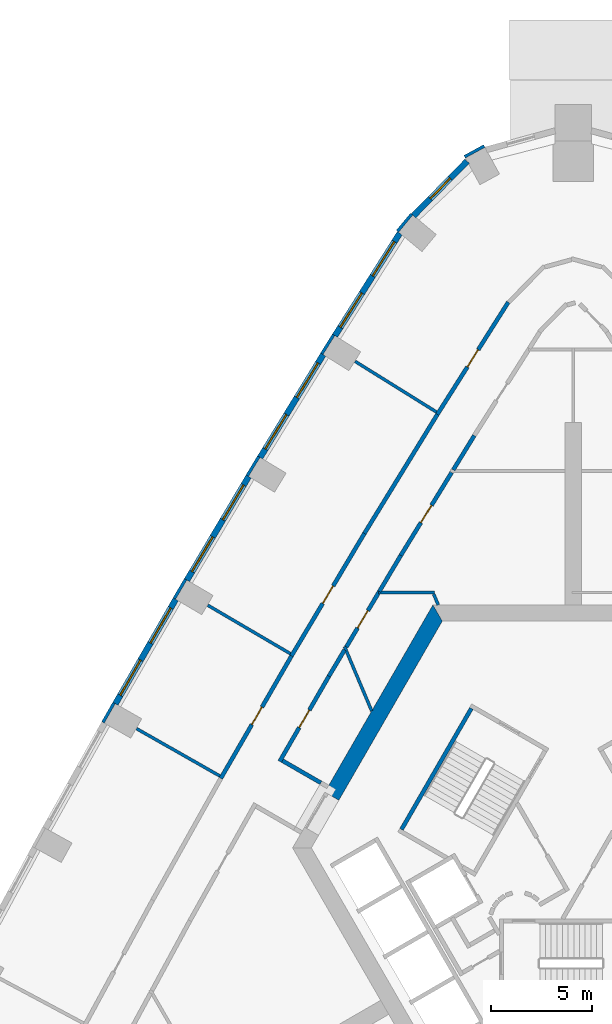
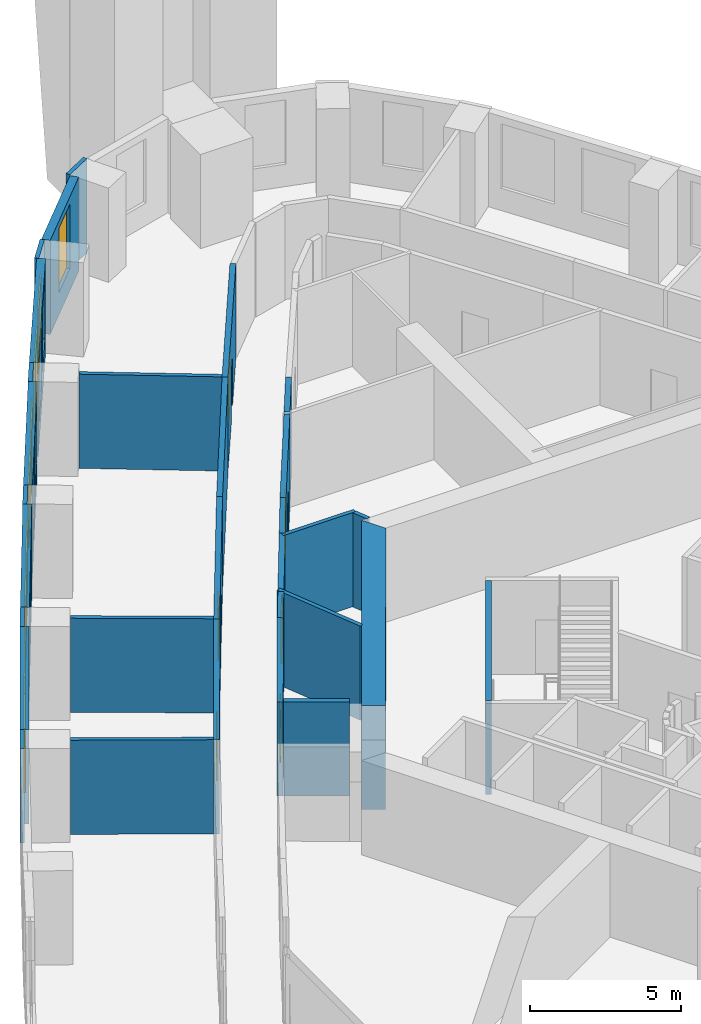
# One storey, part 8 of 15: 30 walls, 9 windows, 6 doors, 15 openings.
"""IFC4 building model written with IfcOpenShell, lengths in metres."""

from ifc_helpers import new_model, si_unit, direction, frame, frame_2d, origin, place, context, subcontext, project, spatial, polyline, rectangle, outline, extrude, material, layer, layer_set, type_object, element, fill, save


model = new_model("IFC4")

# Units and contexts
model_context = context("Model", 3, precision=1e-05, world=origin(), true_north=direction((0.0, 1.0)))
body_context = subcontext(model_context, "Body", "Model", "MODEL_VIEW")
ifc_project = project(units=[si_unit("LENGTHUNIT", "METRE"), si_unit("AREAUNIT", "SQUARE_METRE"), si_unit("VOLUMEUNIT", "CUBIC_METRE"), si_unit("PLANEANGLEUNIT", "RADIAN"), si_unit("MASSUNIT", "GRAM", prefix="KILO")], contexts=[model_context])

# Site, building, storey
site_placement = place(None, origin())
site = spatial("IfcSite", under=ifc_project, at=site_placement, CompositionType="ELEMENT")
building_placement = place(site_placement, origin())
building = spatial("IfcBuilding", under=site, at=building_placement, Name="Entoto Arch Interchange Tower", CompositionType="ELEMENT")
storey_placement = place(building_placement, frame((0.0, 0.0, 150.800048828125)))
storey = spatial("IfcBuildingStorey", under=building, at=storey_placement, Name="L33", CompositionType="ELEMENT", Elevation=150.800048828125)

# Walls
ifc_material_1 = material(Name="Concrete C50/60", Category="concrete")
ifc_layer_1 = layer(ifc_material_1, 0.800048828125)
ifc_layer_set_1 = layer_set([ifc_layer_1], Name="Concrete C50/60")
wall_type_1 = type_object("IfcWallType", Name="Core wall 800 C50/60", PredefinedType="SHEAR", material=ifc_layer_set_1)
wall_1_placement = place(storey_placement, frame((0.0, 0.0, -0.400146484375)))
element("IfcWall", 1, at=wall_1_placement, inside=storey, type_object=wall_type_1, Name="Core wall NW L33", PredefinedType="SHEAR", context=body_context, shape_type="SweptSolid", body=[
    extrude(outline(polyline([(-12.26708984375, 5.251953125), (-11.574951171875, 4.85205078125), (-6.466064453125, 13.699951171875), (-6.927978515625, 14.5), (-12.26708984375, 5.251953125)])), origin(), (0.0, 0.0, 1.0), 4.2001953125),
])
ifc_material_2 = material(Name="Gypsum board partition on steel studs", Category="steel")
ifc_layer_2 = layer(ifc_material_2, 0.14990234375)
ifc_layer_set_2 = layer_set([ifc_layer_2], Name="Gypsum board partition on steel studs")
wall_type_2 = type_object("IfcWallType", Name="PARTITION 150", PredefinedType="PARTITIONING", material=ifc_layer_set_2)
wall_2_placement = place(storey_placement, frame((-9.951904296875, 9.261962890625, 0.0), z_axis=(0.0, 0.0, 1.0), x_axis=(-0.38905491579, 0.921214563769, 0.0)))
element("IfcWall", 2, at=wall_2_placement, inside=storey, type_object=wall_type_2, Name="wall:L33:p085", PredefinedType="PARTITIONING", context=body_context, shape_type="SweptSolid", body=[
    extrude(rectangle(XDim=3.444580078125, YDim=0.14990234375, at=frame_2d((1.72216796875, 0.0))), origin(), (0.0, 0.0, 1.0), 3.800048828125),
])
wall_3_placement = place(storey_placement, frame((-6.845947265625, 15.10009765625, 0.0), z_axis=(0.0, 0.0, 1.0), x_axis=(-1.0, 0.0, 0.0)))
element("IfcWall", 3, at=wall_3_placement, inside=storey, type_object=wall_type_2, Name="wall:L33:p086", PredefinedType="PARTITIONING", context=body_context, shape_type="SweptSolid", body=[
    extrude(rectangle(XDim=2.76611328125, YDim=0.14990234375, at=frame_2d((1.383056640625, 0.0))), origin(), (0.0, 0.0, 1.0), 3.800048828125),
])
wall_4_placement = place(storey_placement, frame((-6.66796875, 14.5, 0.0), z_axis=(0.0, 0.0, 1.0), x_axis=(-0.388852201086, 0.921300149631, 0.0)))
element("IfcWall", 4, at=wall_4_placement, inside=storey, type_object=wall_type_2, Name="wall:L33:p087", PredefinedType="PARTITIONING", context=body_context, shape_type="SweptSolid", body=[
    extrude(rectangle(XDim=0.576416015625, YDim=0.14990234375, at=frame_2d((0.2880859375, 0.0))), origin(), (0.0, 0.0, 1.0), 3.800048828125),
])
wall_5_placement = place(storey_placement, frame((-6.7548828125, 24.02294921875, 0.0), z_axis=(0.0, 0.0, 1.0), x_axis=(-0.848896034983, 0.528559856392, 0.0)))
element("IfcWall", 5, at=wall_5_placement, inside=storey, type_object=wall_type_2, Name="wall:L33:p132", PredefinedType="PARTITIONING", context=body_context, shape_type="SweptSolid", body=[
    extrude(rectangle(XDim=4.729736328125, YDim=0.14990234375, at=frame_2d((2.36474609375, 0.0))), origin(), (0.0, 0.0, 1.0), 3.800048828125),
])
wall_6_placement = place(storey_placement, frame((-13.965087890625, 12.087890625, 0.0), z_axis=(0.0, 0.0, 1.0), x_axis=(-0.862617990649, 0.50585591052, 0.0)))
element("IfcWall", 6, at=wall_6_placement, inside=storey, type_object=wall_type_2, Name="wall:L33:p133", PredefinedType="PARTITIONING", context=body_context, shape_type="SweptSolid", body=[
    extrude(rectangle(XDim=4.730712890625, YDim=0.14990234375, at=frame_2d((2.365234375, 0.0))), origin(), (0.0, 0.0, 1.0), 3.800048828125),
])
wall_7_placement = place(storey_placement, frame((-17.450927734375, 6.051025390625, 0.0), z_axis=(0.0, 0.0, 1.0), x_axis=(-0.869409691741, 0.494091882049, 0.0)))
element("IfcWall", 7, at=wall_7_placement, inside=storey, type_object=wall_type_2, Name="wall:L33:p134", PredefinedType="PARTITIONING", context=body_context, shape_type="SweptSolid", body=[
    extrude(rectangle(XDim=4.729736328125, YDim=0.14990234375, at=frame_2d((2.36474609375, 0.0))), origin(), (0.0, 0.0, 1.0), 3.800048828125),
])

# Wall, opening, door
ifc_layer_3 = layer(ifc_material_2, 0.199951171875)
ifc_layer_set_3 = layer_set([ifc_layer_3], Name="Gypsum board partition on steel studs")
wall_type_3 = type_object("IfcWallType", Name="PARTITION 200", PredefinedType="PARTITIONING", material=ifc_layer_set_3)
wall_8_placement = place(storey_placement, frame((-9.573974609375, 15.1640625, 0.0), z_axis=(0.0, 0.0, 1.0), x_axis=(-0.511482522046, -0.859293680671, 0.0)))
wall_8 = element("IfcWall", 8, at=wall_8_placement, inside=storey, type_object=wall_type_3, Name="wall:L33:p001", PredefinedType="PARTITIONING", context=body_context, shape_type="SweptSolid", body=[
    extrude(rectangle(XDim=3.20849609375, YDim=0.199951171875, at=frame_2d((1.604248046875, 0.0))), origin(), (0.0, 0.0, 1.0), 3.800048828125),
])
opening_1_placement = place(wall_8_placement, frame((1.10400390625, 0.0, 0.0)))
opening_1 = element("IfcOpeningElement", 9, at=opening_1_placement, cuts=wall_8, Name="Opening L33-D28", PredefinedType="OPENING", context=body_context, shape_type="SweptSolid", body=[
    extrude(rectangle(XDim=1.0, YDim=2.10009765625, at=frame_2d((0.5, 1.050048828125))), frame((0.0, 0.10986328125, 0.0), z_axis=(0.0, -1.0, 0.0), x_axis=(1.0, 0.0, 0.0)), (0.0, 0.0, 1.0), 0.219970703125),
])
ifc_material_3 = material(Name="Timber door leaf in Steel S235 frame", Category="steel")
door_type = type_object("IfcDoorType", Name="DOOR DS-10 1000x2100", OperationType="SINGLE_SWING_LEFT", PredefinedType="DOOR", material=ifc_material_3)
door_1_placement = place(opening_1_placement, origin())
door_1 = element("IfcDoor", 10, at=door_1_placement, inside=storey, type_object=door_type, Name="door:L33:28", OperationType="SINGLE_SWING_RIGHT", OverallHeight=2.10009765625, OverallWidth=1.0, PredefinedType="DOOR", context=body_context, shape_type="SweptSolid", body=[
    extrude(rectangle(XDim=1.0, YDim=2.10009765625, at=frame_2d((0.5, 1.050048828125))), frame((0.0, 0.02490234375, 0.0), z_axis=(0.0, -1.0, 0.0), x_axis=(1.0, 0.0, 0.0)), (0.0, 0.0, 1.0), 0.050048828125),
])
fill(opening_1, door_1)

# Wall
wall_9_placement = place(storey_placement, frame((-11.291015625, 12.278076171875, 0.0), z_axis=(0.0, 0.0, 1.0), x_axis=(-0.511628198266, -0.859206952217, 0.0)))
element("IfcWall", 11, at=wall_9_placement, inside=storey, type_object=wall_type_3, Name="wall:L33:p002", PredefinedType="PARTITIONING", context=body_context, shape_type="SweptSolid", body=[
    extrude(rectangle(XDim=1.5166015625, YDim=0.199951171875, at=frame_2d((0.75830078125, 0.0))), origin(), (0.0, 0.0, 1.0), 3.800048828125),
])

# Wall, opening, door
wall_10_placement = place(storey_placement, frame((-12.06689453125, 10.97509765625, 0.0), z_axis=(0.0, 0.0, 1.0), x_axis=(-0.500215616273, -0.865900881878, 0.0)))
wall_10 = element("IfcWall", 12, at=wall_10_placement, inside=storey, type_object=wall_type_3, Name="wall:L33:p003", PredefinedType="PARTITIONING", context=body_context, shape_type="SweptSolid", body=[
    extrude(rectangle(XDim=4.856201171875, YDim=0.199951171875, at=frame_2d((2.42822265625, 0.0))), origin(), (0.0, 0.0, 1.0), 3.800048828125),
])
opening_2_placement = place(wall_10_placement, frame((1.927978515625, 0.0, 0.0)))
opening_2 = element("IfcOpeningElement", 13, at=opening_2_placement, cuts=wall_10, Name="Opening L33-D29", PredefinedType="OPENING", context=body_context, shape_type="SweptSolid", body=[
    extrude(rectangle(XDim=1.0, YDim=2.10009765625, at=frame_2d((0.5, 1.050048828125))), frame((0.0, 0.10986328125, 0.0), z_axis=(0.0, -1.0, 0.0), x_axis=(1.0, 0.0, 0.0)), (0.0, 0.0, 1.0), 0.219970703125),
])
door_2_placement = place(opening_2_placement, origin())
door_2 = element("IfcDoor", 14, at=door_2_placement, inside=storey, type_object=door_type, Name="door:L33:29", OperationType="SINGLE_SWING_LEFT", OverallHeight=2.10009765625, OverallWidth=1.0, PredefinedType="DOOR", context=body_context, shape_type="SweptSolid", body=[
    extrude(rectangle(XDim=1.0, YDim=2.10009765625, at=frame_2d((0.5, 1.050048828125))), frame((0.0, 0.02490234375, 0.0), z_axis=(0.0, -1.0, 0.0), x_axis=(1.0, 0.0, 0.0)), (0.0, 0.0, 1.0), 0.050048828125),
])
fill(opening_2, door_2)

# Wall
wall_11_placement = place(storey_placement, frame((-14.35888671875, 6.805908203125, 0.0), z_axis=(0.0, 0.0, 1.0), x_axis=(0.866155875717, -0.499773947861, 0.0)))
element("IfcWall", 15, at=wall_11_placement, inside=storey, type_object=wall_type_3, Name="wall:L33:p004", PredefinedType="PARTITIONING", context=body_context, shape_type="SweptSolid", body=[
    extrude(rectangle(XDim=2.18896484375, YDim=0.199951171875, at=frame_2d((1.094482421875, 0.0))), origin(), (0.0, 0.0, 1.0), 3.800048828125),
])

# Wall, opening, door
wall_12_placement = place(storey_placement, frame((-6.0048828125, 21.035888671875, 0.0), z_axis=(0.0, 0.0, 1.0), x_axis=(-0.522865983217, -0.852414901086, 0.0)))
wall_12 = element("IfcWall", 16, at=wall_12_placement, inside=storey, type_object=wall_type_3, Name="wall:L33:p009", PredefinedType="PARTITIONING", context=body_context, shape_type="SweptSolid", body=[
    extrude(rectangle(XDim=4.802734375, YDim=0.199951171875, at=frame_2d((2.4013671875, 0.0))), origin(), (0.0, 0.0, 1.0), 3.800048828125),
])
opening_3_placement = place(wall_12_placement, frame((1.90087890625, 0.0, 0.0)))
opening_3 = element("IfcOpeningElement", 17, at=opening_3_placement, cuts=wall_12, Name="Opening L33-D20", PredefinedType="OPENING", context=body_context, shape_type="SweptSolid", body=[
    extrude(rectangle(XDim=1.0, YDim=2.10009765625, at=frame_2d((0.5, 1.050048828125))), frame((0.0, 0.10986328125, 0.0), z_axis=(0.0, -1.0, 0.0), x_axis=(1.0, 0.0, 0.0)), (0.0, 0.0, 1.0), 0.219970703125),
])
door_3_placement = place(opening_3_placement, origin())
door_3 = element("IfcDoor", 18, at=door_3_placement, inside=storey, type_object=door_type, Name="door:L33:20", OperationType="SINGLE_SWING_LEFT", OverallHeight=2.10009765625, OverallWidth=1.0, PredefinedType="DOOR", context=body_context, shape_type="SweptSolid", body=[
    extrude(rectangle(XDim=1.0, YDim=2.10009765625, at=frame_2d((0.5, 1.050048828125))), frame((0.0, 0.02490234375, 0.0), z_axis=(0.0, -1.0, 0.0), x_axis=(1.0, 0.0, 0.0)), (0.0, 0.0, 1.0), 0.050048828125),
])
fill(opening_3, door_3)

# Walls
wall_13_placement = place(storey_placement, frame((-8.51611328125, 16.94189453125, 0.0), z_axis=(0.0, 0.0, 1.0), x_axis=(-0.511351070319, -0.859371911854, 0.0)))
element("IfcWall", 19, at=wall_13_placement, inside=storey, type_object=wall_type_3, Name="wall:L33:p010", PredefinedType="PARTITIONING", context=body_context, shape_type="SweptSolid", body=[
    extrude(rectangle(XDim=2.06884765625, YDim=0.199951171875, at=frame_2d((1.034423828125, 0.0))), origin(), (0.0, 0.0, 1.0), 3.800048828125),
])
wall_14_placement = place(storey_placement, frame((-4.886962890625, 22.860107421875, 0.0), z_axis=(0.0, 0.0, 1.0), x_axis=(-0.522754838565, -0.852483066552, 0.0)))
element("IfcWall", 20, at=wall_14_placement, inside=storey, type_object=wall_type_3, Name="wall:L33:p014", PredefinedType="PARTITIONING", context=body_context, shape_type="SweptSolid", body=[
    extrude(rectangle(XDim=1.989501953125, YDim=0.199951171875, at=frame_2d((0.99462890625, 0.0))), origin(), (0.0, 0.0, 1.0), 3.800048828125),
])

# Wall, opening, door
wall_15_placement = place(storey_placement, frame((-6.7099609375, 23.906005859375, 0.0), z_axis=(0.0, 0.0, 1.0), x_axis=(0.534211624298, 0.845350779538, 0.0)))
wall_15 = element("IfcWall", 21, at=wall_15_placement, inside=storey, type_object=wall_type_3, Name="wall:L33:p056", PredefinedType="PARTITIONING", context=body_context, shape_type="SweptSolid", body=[
    extrude(rectangle(XDim=6.553466796875, YDim=0.199951171875, at=frame_2d((3.27685546875, 0.0))), origin(), (0.0, 0.0, 1.0), 3.800048828125),
])
opening_4_placement = place(wall_15_placement, frame((2.777099609375, 0.0, 0.0)))
opening_4 = element("IfcOpeningElement", 22, at=opening_4_placement, cuts=wall_15, Name="Opening L33-D10", PredefinedType="OPENING", context=body_context, shape_type="SweptSolid", body=[
    extrude(rectangle(XDim=1.0, YDim=2.10009765625, at=frame_2d((0.5, 1.050048828125))), frame((0.0, 0.10986328125, 0.0), z_axis=(0.0, -1.0, 0.0), x_axis=(1.0, 0.0, 0.0)), (0.0, 0.0, 1.0), 0.219970703125),
])
door_4_placement = place(opening_4_placement, origin())
door_4 = element("IfcDoor", 23, at=door_4_placement, inside=storey, type_object=door_type, Name="door:L33:10", OperationType="SINGLE_SWING_LEFT", OverallHeight=2.10009765625, OverallWidth=1.0, PredefinedType="DOOR", context=body_context, shape_type="SweptSolid", body=[
    extrude(rectangle(XDim=1.0, YDim=2.10009765625, at=frame_2d((0.5, 1.050048828125))), frame((0.0, 0.02490234375, 0.0), z_axis=(0.0, -1.0, 0.0), x_axis=(1.0, 0.0, 0.0)), (0.0, 0.0, 1.0), 0.050048828125),
])
fill(opening_4, door_4)

wall_16_placement = place(storey_placement, frame((-13.9169921875, 11.972900390625, 0.0), z_axis=(0.0, 0.0, 1.0), x_axis=(0.511455840413, 0.859309561978, 0.0)))
wall_16 = element("IfcWall", 24, at=wall_16_placement, inside=storey, type_object=wall_type_3, Name="wall:L33:p061", PredefinedType="PARTITIONING", context=body_context, shape_type="SweptSolid", body=[
    extrude(rectangle(XDim=7.046630859375, YDim=0.199951171875, at=frame_2d((3.5234375, 0.0))), origin(), (0.0, 0.0, 1.0), 3.800048828125),
])
opening_5_placement = place(wall_16_placement, frame((3.02294921875, 0.0, 0.0)))
opening_5 = element("IfcOpeningElement", 25, at=opening_5_placement, cuts=wall_16, Name="Opening L33-D11", PredefinedType="OPENING", context=body_context, shape_type="SweptSolid", body=[
    extrude(rectangle(XDim=1.0, YDim=2.10009765625, at=frame_2d((0.5, 1.050048828125))), frame((0.0, 0.10986328125, 0.0), z_axis=(0.0, -1.0, 0.0), x_axis=(1.0, 0.0, 0.0)), (0.0, 0.0, 1.0), 0.219970703125),
])
door_5_placement = place(opening_5_placement, origin())
door_5 = element("IfcDoor", 26, at=door_5_placement, inside=storey, type_object=door_type, Name="door:L33:11", OperationType="SINGLE_SWING_LEFT", OverallHeight=2.10009765625, OverallWidth=1.0, PredefinedType="DOOR", context=body_context, shape_type="SweptSolid", body=[
    extrude(rectangle(XDim=1.0, YDim=2.10009765625, at=frame_2d((0.5, 1.050048828125))), frame((0.0, 0.02490234375, 0.0), z_axis=(0.0, -1.0, 0.0), x_axis=(1.0, 0.0, 0.0)), (0.0, 0.0, 1.0), 0.050048828125),
])
fill(opening_5, door_5)

# Wall
wall_17_placement = place(storey_placement, frame((-10.31298828125, 18.028076171875, 0.0), z_axis=(0.0, 0.0, 1.0), x_axis=(0.522772968793, 0.85247194857, 0.0)))
element("IfcWall", 27, at=wall_17_placement, inside=storey, type_object=wall_type_3, Name="wall:L33:p062", PredefinedType="PARTITIONING", context=body_context, shape_type="SweptSolid", body=[
    extrude(rectangle(XDim=6.89404296875, YDim=0.199951171875, at=frame_2d((3.447021484375, 0.0))), origin(), (0.0, 0.0, 1.0), 3.800048828125),
])

# Wall, opening, door
wall_18_placement = place(storey_placement, frame((-17.402099609375, 5.93603515625, 0.0), z_axis=(0.0, 0.0, 1.0), x_axis=(0.500135788517, 0.865946992052, 0.0)))
wall_18 = element("IfcWall", 28, at=wall_18_placement, inside=storey, type_object=wall_type_3, Name="wall:L33:p063", PredefinedType="PARTITIONING", context=body_context, shape_type="SweptSolid", body=[
    extrude(rectangle(XDim=6.97021484375, YDim=0.199951171875, at=frame_2d((3.485107421875, 0.0))), origin(), (0.0, 0.0, 1.0), 3.800048828125),
])
opening_6_placement = place(wall_18_placement, frame((3.06005859375, 0.0, 0.0)))
opening_6 = element("IfcOpeningElement", 29, at=opening_6_placement, cuts=wall_18, Name="Opening L33-D12", PredefinedType="OPENING", context=body_context, shape_type="SweptSolid", body=[
    extrude(rectangle(XDim=1.0, YDim=2.10009765625, at=frame_2d((0.5, 1.050048828125))), frame((0.0, 0.10986328125, 0.0), z_axis=(0.0, -1.0, 0.0), x_axis=(1.0, 0.0, 0.0)), (0.0, 0.0, 1.0), 0.219970703125),
])
door_6_placement = place(opening_6_placement, origin())
door_6 = element("IfcDoor", 30, at=door_6_placement, inside=storey, type_object=door_type, Name="door:L33:12", OperationType="SINGLE_SWING_LEFT", OverallHeight=2.10009765625, OverallWidth=1.0, PredefinedType="DOOR", context=body_context, shape_type="SweptSolid", body=[
    extrude(rectangle(XDim=1.0, YDim=2.10009765625, at=frame_2d((0.5, 1.050048828125))), frame((0.0, 0.02490234375, 0.0), z_axis=(0.0, -1.0, 0.0), x_axis=(1.0, 0.0, 0.0)), (0.0, 0.0, 1.0), 0.050048828125),
])
fill(opening_6, door_6)

# Wall
ifc_material_4 = material(Name="Concrete C40/50", Category="concrete")
ifc_layer_4 = layer(ifc_material_4, 0.199951171875)
ifc_layer_set_4 = layer_set([ifc_layer_4], Name="Concrete C40/50")
wall_type_4 = type_object("IfcWallType", Name="STAIR ENCLOSURE WALL 200", PredefinedType="STANDARD", material=ifc_layer_set_4)
wall_19_placement = place(storey_placement, frame((-5.030029296875, 9.387939453125, 0.0), z_axis=(0.0, 0.0, 1.0), x_axis=(-0.499978703459, -0.866037698999, 0.0)))
element("IfcWall", 31, at=wall_19_placement, inside=storey, type_object=wall_type_4, Name="Stair wall ST-NW back", PredefinedType="STANDARD", context=body_context, shape_type="SweptSolid", body=[
    extrude(rectangle(XDim=6.900146484375, YDim=0.199951171875, at=frame_2d((3.4501953125, 0.0))), origin(), (0.0, 0.0, 1.0), 3.800048828125),
])

# Wall, opening, window
ifc_material_5 = material(Name="Welded tuff (ignimbrite) cladding, warm buff", Category="masonry")
ifc_layer_5 = layer(ifc_material_5, 0.300048828125)
ifc_layer_set_5 = layer_set([ifc_layer_5], Name="Welded tuff (ignimbrite) cladding, warm buff")
wall_type_5 = type_object("IfcWallType", Name="STONE INFILL WALL 300", PredefinedType="STANDARD", material=ifc_layer_set_5)
wall_20_placement = place(storey_placement, frame((-5.240966796875, 36.412109375, 0.0), z_axis=(0.0, 0.0, 1.0), x_axis=(-0.7003170466, -0.713831936973, 0.0)))
wall_20 = element("IfcWall", 32, at=wall_20_placement, inside=storey, type_object=wall_type_5, Name="Facade wall N-04 L33", PredefinedType="STANDARD", context=body_context, shape_type="SweptSolid", body=[
    extrude(rectangle(XDim=3.775390625, YDim=0.300048828125, at=frame_2d((1.8876953125, 0.0))), origin(), (0.0, 0.0, 1.0), 3.800048828125),
])
opening_7_placement = place(wall_20_placement, frame((1.18798828125, 0.0, 0.89990234375)))
opening_7 = element("IfcOpeningElement", 33, at=opening_7_placement, cuts=wall_20, Name="Opening WO-B", PredefinedType="OPENING", context=body_context, shape_type="SweptSolid", body=[
    extrude(rectangle(XDim=1.39990234375, YDim=2.60009765625, at=frame_2d((0.699951171875, 1.300048828125))), frame((0.0, 0.16015625, 0.0), z_axis=(0.0, -1.0, 0.0), x_axis=(1.0, 0.0, 0.0)), (0.0, 0.0, 1.0), 0.320068359375),
])
ifc_material_6 = material(Name="Clear glass, low-e double glazed", Category="glass")
window_type_1 = type_object("IfcWindowType", Name="WINDOW WO-B 1400x2600", PartitioningType="DOUBLE_PANEL_VERTICAL", PredefinedType="WINDOW", material=ifc_material_6)
window_1_placement = place(opening_7_placement, origin())
window_1 = element("IfcWindow", 34, at=window_1_placement, inside=storey, type_object=window_type_1, Name="Window WO-B N-04 L33", OverallHeight=2.60009765625, OverallWidth=1.39990234375, PartitioningType="SINGLE_PANEL", PredefinedType="WINDOW", context=body_context, shape_type="SweptSolid", body=[
    extrude(rectangle(XDim=1.39990234375, YDim=2.60009765625, at=frame_2d((0.699951171875, 1.300048828125))), frame((0.0, 0.030029296875, 0.0), z_axis=(0.0, -1.0, 0.0), x_axis=(1.0, 0.0, 0.0)), (0.0, 0.0, 1.0), 0.06005859375),
])
fill(opening_7, window_1)

# Wall, openings, windows
wall_21_placement = place(storey_placement, frame((-8.56591796875, 32.85498046875, 0.0), z_axis=(0.0, 0.0, 1.0), x_axis=(-0.534262775953, -0.845318452556, 0.0)))
wall_21 = element("IfcWall", 35, at=wall_21_placement, inside=storey, type_object=wall_type_5, Name="Facade wall NW-01 L33", PredefinedType="STANDARD", context=body_context, shape_type="SweptSolid", body=[
    extrude(rectangle(XDim=5.99169921875, YDim=0.300048828125, at=frame_2d((2.995849609375, 0.0))), origin(), (0.0, 0.0, 1.0), 3.800048828125),
])
opening_8_placement = place(wall_21_placement, frame((0.498046875, 0.0, 0.89990234375)))
opening_8 = element("IfcOpeningElement", 36, at=opening_8_placement, cuts=wall_21, Name="Opening WO-C", PredefinedType="OPENING", context=body_context, shape_type="SweptSolid", body=[
    extrude(rectangle(XDim=2.0, YDim=2.60009765625, at=frame_2d((1.0, 1.300048828125))), frame((0.0, 0.16015625, 0.0), z_axis=(0.0, -1.0, 0.0), x_axis=(1.0, 0.0, 0.0)), (0.0, 0.0, 1.0), 0.320068359375),
])
opening_9_placement = place(wall_21_placement, frame((3.493896484375, 0.0, 0.89990234375)))
opening_9 = element("IfcOpeningElement", 37, at=opening_9_placement, cuts=wall_21, Name="Opening WO-C", PredefinedType="OPENING", context=body_context, shape_type="SweptSolid", body=[
    extrude(rectangle(XDim=2.0, YDim=2.60009765625, at=frame_2d((1.0, 1.300048828125))), frame((0.0, 0.16015625, 0.0), z_axis=(0.0, -1.0, 0.0), x_axis=(1.0, 0.0, 0.0)), (0.0, 0.0, 1.0), 0.320068359375),
])
window_type_2 = type_object("IfcWindowType", Name="WINDOW WO-C 2000x2600", PartitioningType="DOUBLE_PANEL_VERTICAL", PredefinedType="WINDOW", material=ifc_material_6)
window_2_placement = place(opening_8_placement, origin())
window_2 = element("IfcWindow", 38, at=window_2_placement, inside=storey, type_object=window_type_2, Name="Window WO-C NW-01 L33", OverallHeight=2.60009765625, OverallWidth=2.0, PartitioningType="SINGLE_PANEL", PredefinedType="WINDOW", context=body_context, shape_type="SweptSolid", body=[
    extrude(rectangle(XDim=2.0, YDim=2.60009765625, at=frame_2d((1.0, 1.300048828125))), frame((0.0, 0.030029296875, 0.0), z_axis=(0.0, -1.0, 0.0), x_axis=(1.0, 0.0, 0.0)), (0.0, 0.0, 1.0), 0.06005859375),
])
fill(opening_8, window_2)
window_3_placement = place(opening_9_placement, origin())
window_3 = element("IfcWindow", 39, at=window_3_placement, inside=storey, type_object=window_type_2, Name="Window WO-C NW-01 L33", OverallHeight=2.60009765625, OverallWidth=2.0, PartitioningType="SINGLE_PANEL", PredefinedType="WINDOW", context=body_context, shape_type="SweptSolid", body=[
    extrude(rectangle(XDim=2.0, YDim=2.60009765625, at=frame_2d((1.0, 1.300048828125))), frame((0.0, 0.030029296875, 0.0), z_axis=(0.0, -1.0, 0.0), x_axis=(1.0, 0.0, 0.0)), (0.0, 0.0, 1.0), 0.06005859375),
])
fill(opening_9, window_3)

wall_22_placement = place(storey_placement, frame((-12.347900390625, 26.85791015625, 0.0), z_axis=(0.0, 0.0, 1.0), x_axis=(-0.522704272908, -0.852514072074, 0.0)))
wall_22 = element("IfcWall", 40, at=wall_22_placement, inside=storey, type_object=wall_type_5, Name="Facade wall NW-02 L33", PredefinedType="STANDARD", context=body_context, shape_type="SweptSolid", body=[
    extrude(rectangle(XDim=5.95751953125, YDim=0.300048828125, at=frame_2d((2.978759765625, 0.0))), origin(), (0.0, 0.0, 1.0), 3.800048828125),
])
opening_10_placement = place(wall_22_placement, frame((0.489013671875, 0.0, 0.89990234375)))
opening_10 = element("IfcOpeningElement", 41, at=opening_10_placement, cuts=wall_22, Name="Opening WO-C", PredefinedType="OPENING", context=body_context, shape_type="SweptSolid", body=[
    extrude(rectangle(XDim=2.0, YDim=2.60009765625, at=frame_2d((1.0, 1.300048828125))), frame((0.0, 0.16015625, 0.0), z_axis=(0.0, -1.0, 0.0), x_axis=(1.0, 0.0, 0.0)), (0.0, 0.0, 1.0), 0.320068359375),
])
opening_11_placement = place(wall_22_placement, frame((3.468017578125, 0.0, 0.89990234375)))
opening_11 = element("IfcOpeningElement", 42, at=opening_11_placement, cuts=wall_22, Name="Opening WO-C", PredefinedType="OPENING", context=body_context, shape_type="SweptSolid", body=[
    extrude(rectangle(XDim=2.0, YDim=2.60009765625, at=frame_2d((1.0, 1.300048828125))), frame((0.0, 0.16015625, 0.0), z_axis=(0.0, -1.0, 0.0), x_axis=(1.0, 0.0, 0.0)), (0.0, 0.0, 1.0), 0.320068359375),
])
window_4_placement = place(opening_10_placement, origin())
window_4 = element("IfcWindow", 43, at=window_4_placement, inside=storey, type_object=window_type_2, Name="Window WO-C NW-02 L33", OverallHeight=2.60009765625, OverallWidth=2.0, PartitioningType="SINGLE_PANEL", PredefinedType="WINDOW", context=body_context, shape_type="SweptSolid", body=[
    extrude(rectangle(XDim=2.0, YDim=2.60009765625, at=frame_2d((1.0, 1.300048828125))), frame((0.0, 0.030029296875, 0.0), z_axis=(0.0, -1.0, 0.0), x_axis=(1.0, 0.0, 0.0)), (0.0, 0.0, 1.0), 0.06005859375),
])
fill(opening_10, window_4)
window_5_placement = place(opening_11_placement, origin())
window_5 = element("IfcWindow", 44, at=window_5_placement, inside=storey, type_object=window_type_2, Name="Window WO-C NW-02 L33", OverallHeight=2.60009765625, OverallWidth=2.0, PartitioningType="SINGLE_PANEL", PredefinedType="WINDOW", context=body_context, shape_type="SweptSolid", body=[
    extrude(rectangle(XDim=2.0, YDim=2.60009765625, at=frame_2d((1.0, 1.300048828125))), frame((0.0, 0.030029296875, 0.0), z_axis=(0.0, -1.0, 0.0), x_axis=(1.0, 0.0, 0.0)), (0.0, 0.0, 1.0), 0.06005859375),
])
fill(opening_11, window_5)

wall_23_placement = place(storey_placement, frame((-16.029052734375, 20.840087890625, 0.0), z_axis=(0.0, 0.0, 1.0), x_axis=(-0.511455040009, -0.859310038374, 0.0)))
wall_23 = element("IfcWall", 45, at=wall_23_placement, inside=storey, type_object=wall_type_5, Name="Facade wall NW-03 L33", PredefinedType="STANDARD", context=body_context, shape_type="SweptSolid", body=[
    extrude(rectangle(XDim=5.957275390625, YDim=0.300048828125, at=frame_2d((2.978515625, 0.0))), origin(), (0.0, 0.0, 1.0), 3.800048828125),
])
opening_12_placement = place(wall_23_placement, frame((0.489013671875, 0.0, 0.89990234375)))
opening_12 = element("IfcOpeningElement", 46, at=opening_12_placement, cuts=wall_23, Name="Opening WO-C", PredefinedType="OPENING", context=body_context, shape_type="SweptSolid", body=[
    extrude(rectangle(XDim=2.0, YDim=2.60009765625, at=frame_2d((1.0, 1.300048828125))), frame((0.0, 0.16015625, 0.0), z_axis=(0.0, -1.0, 0.0), x_axis=(1.0, 0.0, 0.0)), (0.0, 0.0, 1.0), 0.320068359375),
])
opening_13_placement = place(wall_23_placement, frame((3.468017578125, 0.0, 0.89990234375)))
opening_13 = element("IfcOpeningElement", 47, at=opening_13_placement, cuts=wall_23, Name="Opening WO-C", PredefinedType="OPENING", context=body_context, shape_type="SweptSolid", body=[
    extrude(rectangle(XDim=2.0, YDim=2.60009765625, at=frame_2d((1.0, 1.300048828125))), frame((0.0, 0.16015625, 0.0), z_axis=(0.0, -1.0, 0.0), x_axis=(1.0, 0.0, 0.0)), (0.0, 0.0, 1.0), 0.320068359375),
])
window_6_placement = place(opening_12_placement, origin())
window_6 = element("IfcWindow", 48, at=window_6_placement, inside=storey, type_object=window_type_2, Name="Window WO-C NW-03 L33", OverallHeight=2.60009765625, OverallWidth=2.0, PartitioningType="SINGLE_PANEL", PredefinedType="WINDOW", context=body_context, shape_type="SweptSolid", body=[
    extrude(rectangle(XDim=2.0, YDim=2.60009765625, at=frame_2d((1.0, 1.300048828125))), frame((0.0, 0.030029296875, 0.0), z_axis=(0.0, -1.0, 0.0), x_axis=(1.0, 0.0, 0.0)), (0.0, 0.0, 1.0), 0.06005859375),
])
fill(opening_12, window_6)
window_7_placement = place(opening_13_placement, origin())
window_7 = element("IfcWindow", 49, at=window_7_placement, inside=storey, type_object=window_type_2, Name="Window WO-C NW-03 L33", OverallHeight=2.60009765625, OverallWidth=2.0, PartitioningType="SINGLE_PANEL", PredefinedType="WINDOW", context=body_context, shape_type="SweptSolid", body=[
    extrude(rectangle(XDim=2.0, YDim=2.60009765625, at=frame_2d((1.0, 1.300048828125))), frame((0.0, 0.030029296875, 0.0), z_axis=(0.0, -1.0, 0.0), x_axis=(1.0, 0.0, 0.0)), (0.0, 0.0, 1.0), 0.06005859375),
])
fill(opening_13, window_7)

wall_24_placement = place(storey_placement, frame((-19.631103515625, 14.77392578125, 0.0), z_axis=(0.0, 0.0, 1.0), x_axis=(-0.500061823953, -0.865989706766, 0.0)))
wall_24 = element("IfcWall", 50, at=wall_24_placement, inside=storey, type_object=wall_type_5, Name="Facade wall NW-04 L33", PredefinedType="STANDARD", context=body_context, shape_type="SweptSolid", body=[
    extrude(rectangle(XDim=5.957275390625, YDim=0.300048828125, at=frame_2d((2.978515625, 0.0))), origin(), (0.0, 0.0, 1.0), 3.800048828125),
])
opening_14_placement = place(wall_24_placement, frame((0.489013671875, 0.0, 0.89990234375)))
opening_14 = element("IfcOpeningElement", 51, at=opening_14_placement, cuts=wall_24, Name="Opening WO-C", PredefinedType="OPENING", context=body_context, shape_type="SweptSolid", body=[
    extrude(rectangle(XDim=2.0, YDim=2.60009765625, at=frame_2d((1.0, 1.300048828125))), frame((0.0, 0.16015625, 0.0), z_axis=(0.0, -1.0, 0.0), x_axis=(1.0, 0.0, 0.0)), (0.0, 0.0, 1.0), 0.320068359375),
])
opening_15_placement = place(wall_24_placement, frame((3.468017578125, 0.0, 0.89990234375)))
opening_15 = element("IfcOpeningElement", 52, at=opening_15_placement, cuts=wall_24, Name="Opening WO-C", PredefinedType="OPENING", context=body_context, shape_type="SweptSolid", body=[
    extrude(rectangle(XDim=2.0, YDim=2.60009765625, at=frame_2d((1.0, 1.300048828125))), frame((0.0, 0.16015625, 0.0), z_axis=(0.0, -1.0, 0.0), x_axis=(1.0, 0.0, 0.0)), (0.0, 0.0, 1.0), 0.320068359375),
])
window_8_placement = place(opening_14_placement, origin())
window_8 = element("IfcWindow", 53, at=window_8_placement, inside=storey, type_object=window_type_2, Name="Window WO-C NW-04 L33", OverallHeight=2.60009765625, OverallWidth=2.0, PartitioningType="SINGLE_PANEL", PredefinedType="WINDOW", context=body_context, shape_type="SweptSolid", body=[
    extrude(rectangle(XDim=2.0, YDim=2.60009765625, at=frame_2d((1.0, 1.300048828125))), frame((0.0, 0.030029296875, 0.0), z_axis=(0.0, -1.0, 0.0), x_axis=(1.0, 0.0, 0.0)), (0.0, 0.0, 1.0), 0.06005859375),
])
fill(opening_14, window_8)
window_9_placement = place(opening_15_placement, origin())
window_9 = element("IfcWindow", 54, at=window_9_placement, inside=storey, type_object=window_type_2, Name="Window WO-C NW-04 L33", OverallHeight=2.60009765625, OverallWidth=2.0, PartitioningType="SINGLE_PANEL", PredefinedType="WINDOW", context=body_context, shape_type="SweptSolid", body=[
    extrude(rectangle(XDim=2.0, YDim=2.60009765625, at=frame_2d((1.0, 1.300048828125))), frame((0.0, 0.030029296875, 0.0), z_axis=(0.0, -1.0, 0.0), x_axis=(1.0, 0.0, 0.0)), (0.0, 0.0, 1.0), 0.06005859375),
])
fill(opening_15, window_9)

# Walls
ifc_layer_6 = layer(ifc_material_5, 0.14990234375)
ifc_layer_set_6 = layer_set([ifc_layer_6], Name="Welded tuff (ignimbrite) cladding, warm buff")
wall_type_6 = type_object("IfcWallType", Name="STONE PIER CLADDING 150", PredefinedType="STANDARD", material=ifc_layer_set_6)
wall_25_placement = place(storey_placement, frame((-4.39501953125, 37.156982421875, 0.0), z_axis=(0.0, 0.0, 1.0), x_axis=(-0.877836219403, -0.478960929414, 0.0)))
element("IfcWall", 55, at=wall_25_placement, inside=storey, type_object=wall_type_6, Name="Stone pier N3 L33", PredefinedType="STANDARD", context=body_context, shape_type="SweptSolid", body=[
    extrude(rectangle(XDim=1.1005859375, YDim=0.14990234375, at=frame_2d((0.55029296875, 0.0))), origin(), (0.0, 0.0, 1.0), 3.800048828125),
])
wall_26_placement = place(storey_placement, frame((-7.97802734375, 33.794921875, 0.0), z_axis=(0.0, 0.0, 1.0), x_axis=(-0.639070205934, -0.769148406933, 0.0)))
element("IfcWall", 56, at=wall_26_placement, inside=storey, type_object=wall_type_6, Name="Stone pier NW01 L33", PredefinedType="STANDARD", context=body_context, shape_type="SweptSolid", body=[
    extrude(rectangle(XDim=1.099853515625, YDim=0.14990234375, at=frame_2d((0.5498046875, 0.0))), origin(), (0.0, 0.0, 1.0), 3.800048828125),
])
for number, where, z_axis, x_axis, name in (
    (57, (-11.8330078125, 27.83203125, 0.0), (0.0, 0.0, 1.0), (-0.529879262372, -0.848073090782, 0.0), "Stone pier NW02 L33"),
    (58, (-15.528076171875, 21.821044921875, 0.0), (0.0, 0.0, 1.0), (-0.517918067967, -0.85543022794, 0.0), "Stone pier NW03 L33"),
):
    element("IfcWall", number, at=place(storey_placement, frame(where, z_axis=z_axis, x_axis=x_axis)), inside=storey, type_object=wall_type_6, Name=name, PredefinedType="STANDARD", context=body_context, shape_type="SweptSolid", body=[
        extrude(rectangle(XDim=1.100341796875, YDim=0.14990234375, at=frame_2d((0.55029296875, 0.0))), origin(), (0.0, 0.0, 1.0), 3.800048828125),
    ])
wall_27_placement = place(storey_placement, frame((-19.14306640625, 15.760986328125, 0.0), z_axis=(0.0, 0.0, 1.0), x_axis=(-0.506505715302, -0.862236603472, 0.0)))
element("IfcWall", 59, at=wall_27_placement, inside=storey, type_object=wall_type_6, Name="Stone pier NW04 L33", PredefinedType="STANDARD", context=body_context, shape_type="SweptSolid", body=[
    extrude(rectangle(XDim=1.099365234375, YDim=0.14990234375, at=frame_2d((0.5498046875, 0.0))), origin(), (0.0, 0.0, 1.0), 3.800048828125),
])
wall_28_placement = place(storey_placement, frame((-22.677978515625, 9.655029296875, 0.0), z_axis=(0.0, 0.0, 1.0), x_axis=(-0.494512685492, -0.869170411305, 0.0)))
element("IfcWall", 60, at=wall_28_placement, inside=storey, type_object=wall_type_6, Name="Stone pier NW05 L33", PredefinedType="STANDARD", context=body_context, shape_type="SweptSolid", body=[
    extrude(rectangle(XDim=1.099853515625, YDim=0.14990234375, at=frame_2d((0.5498046875, 0.0))), origin(), (0.0, 0.0, 1.0), 3.800048828125),
])

save(model, "model.ifc")
